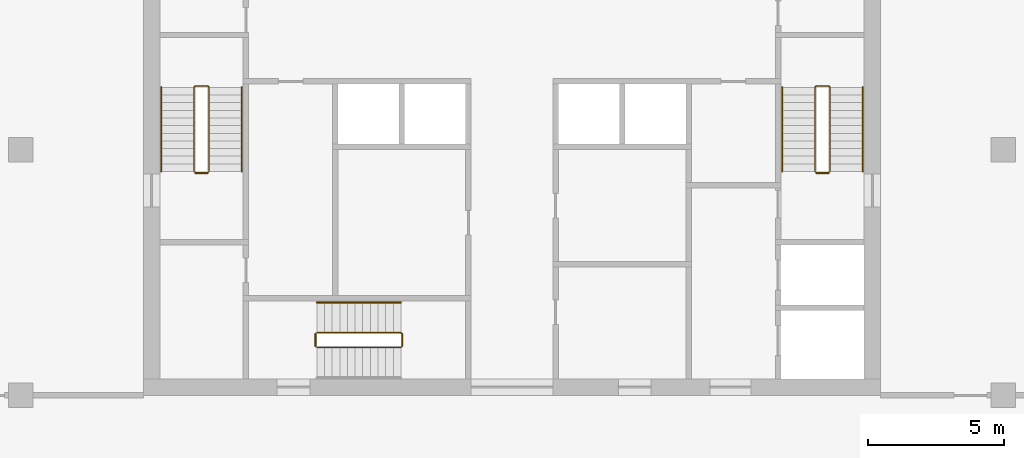
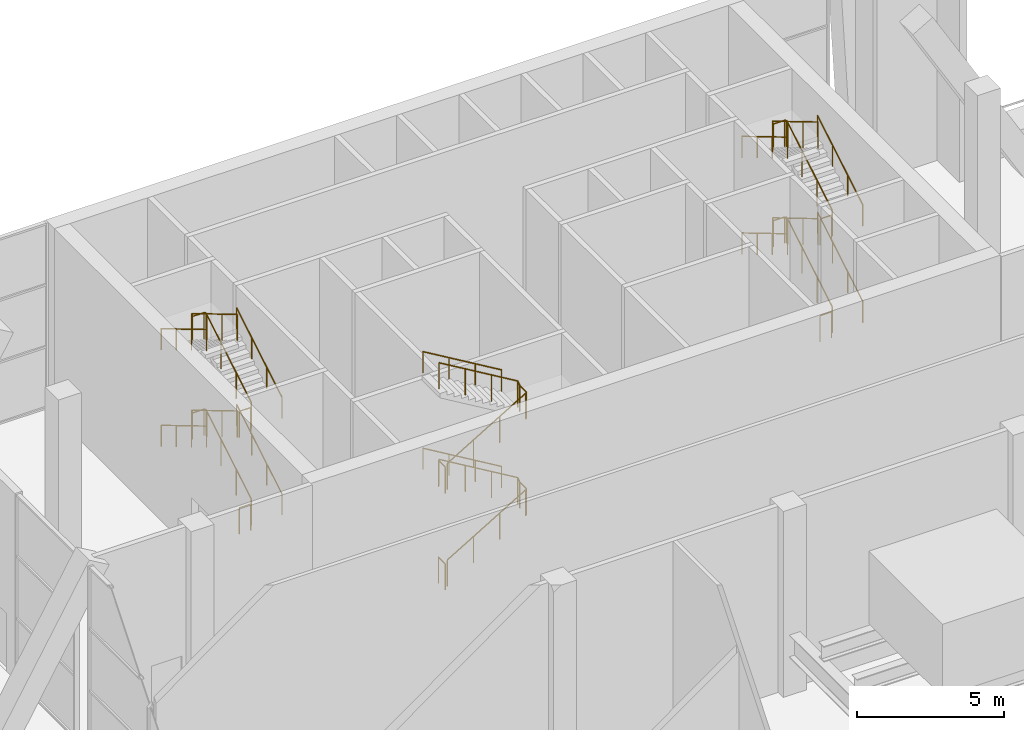
# One storey, part 11 of 12: 22 railings.
"""IFC4 building model written with IfcOpenShell, lengths in metres."""

from ifc_helpers import new_model, si_unit, direction, frame, origin, origin_2d, place, context, subcontext, project, spatial, circle, extrude, material, type_object, element, save


model = new_model("IFC4")

# Units and contexts
model_context = context("Model", 3, precision=1e-05, world=origin(), true_north=direction((0.0, 1.0)))
body_context = subcontext(model_context, "Body", "Model", "MODEL_VIEW")
ifc_project = project(units=[si_unit("LENGTHUNIT", "METRE"), si_unit("AREAUNIT", "SQUARE_METRE"), si_unit("VOLUMEUNIT", "CUBIC_METRE"), si_unit("PLANEANGLEUNIT", "RADIAN"), si_unit("MASSUNIT", "GRAM", prefix="KILO")], contexts=[model_context])

# Site, building, storey
site_placement = place(None, origin())
site = spatial("IfcSite", under=ifc_project, at=site_placement, CompositionType="ELEMENT")
building_placement = place(site_placement, origin())
building = spatial("IfcBuilding", under=site, at=building_placement, Name="Orbiselva Terraces", CompositionType="ELEMENT")
storey_placement = place(building_placement, frame((0.0, 0.0, 289.4)))
storey = spatial("IfcBuildingStorey", under=building, at=storey_placement, Name="L73", CompositionType="ELEMENT", Elevation=289.4)

# Railings
ifc_material = material(Name="Stainless steel", Category="steel")
railing_type_1 = type_object("IfcRailingType", Name="CORE-GUARD-1100", PredefinedType="GUARDRAIL", material=ifc_material)
railing_1_placement = place(storey_placement, frame((-11.1, 12.7, 0.166667)))
element("IfcRailing", 1, at=railing_1_placement, inside=storey, type_object=railing_type_1, Name="L73 S1 stair guard 1", PredefinedType="GUARDRAIL", context=body_context, shape_type="SweptSolid", body=[
    extrude(circle(Radius=0.024, at=origin_2d()), frame((0.0, 0.0, 1.081), z_axis=(0.0, 0.859292925283, 0.5114837911), x_axis=(-1.0, 0.0, 0.0)), (0.0, 0.0, 1.0), 3.584342),
    extrude(circle(Radius=0.024, at=origin_2d()), frame((0.0, 3.08, 2.914333), z_axis=(-0.707106781187, 0.707106781187, 0.0), x_axis=(-0.707106781187, -0.707106781187, 0.0)), (0.0, 0.0, 1.0), 0.070711),
    extrude(circle(Radius=0.024, at=origin_2d()), frame((-0.05, 3.13, 2.914333), z_axis=(-1.0, 0.0, 0.0), x_axis=(0.0, -1.0, 0.0)), (0.0, 0.0, 1.0), 0.45),
    extrude(circle(Radius=0.024, at=origin_2d()), frame((-0.5, 3.13, 2.914333), z_axis=(-0.276171917281, -0.276171917281, 0.920574898751), x_axis=(0.707106781187, -0.707106781187, 0.0)), (0.0, 0.0, 1.0), 0.181047),
    extrude(circle(Radius=0.024, at=origin_2d()), frame((-0.55, 3.08, 3.081), z_axis=(0.0, -0.859292925283, 0.5114837911), x_axis=(1.0, 0.0, 0.0)), (0.0, 0.0, 1.0), 3.584342),
    extrude(circle(Radius=0.021, at=origin_2d()), origin(), (0.0, 0.0, 1.0), 1.057),
    extrude(circle(Radius=0.021, at=origin_2d()), frame((0.0, 1.026667, 0.611111)), (0.0, 0.0, 1.0), 1.057),
    extrude(circle(Radius=0.021, at=origin_2d()), frame((0.0, 2.053333, 1.222222)), (0.0, 0.0, 1.0), 1.057),
    extrude(circle(Radius=0.021, at=origin_2d()), frame((0.0, 3.08, 1.833333)), (0.0, 0.0, 1.0), 1.057),
    extrude(circle(Radius=0.021, at=origin_2d()), frame((-0.05, 3.13, 1.833333)), (0.0, 0.0, 1.0), 1.057),
    extrude(circle(Radius=0.021, at=origin_2d()), frame((-0.5, 3.13, 1.833333)), (0.0, 0.0, 1.0), 1.057),
    extrude(circle(Radius=0.021, at=origin_2d()), frame((-0.55, 3.08, 2.0)), (0.0, 0.0, 1.0), 1.057),
    extrude(circle(Radius=0.021, at=origin_2d()), frame((-0.55, 2.053333, 2.611111)), (0.0, 0.0, 1.0), 1.057),
    extrude(circle(Radius=0.021, at=origin_2d()), frame((-0.55, 1.026667, 3.222222)), (0.0, 0.0, 1.0), 1.057),
    extrude(circle(Radius=0.021, at=origin_2d()), frame((-0.55, 0.0, 3.833333)), (0.0, 0.0, 1.0), 1.057),
])
railing_2_placement = place(storey_placement, frame((-11.15, 12.65, 4.0)))
element("IfcRailing", 2, at=railing_2_placement, inside=storey, type_object=railing_type_1, Name="L73 S1 stair guard 2", PredefinedType="GUARDRAIL", context=body_context, shape_type="SweptSolid", body=[
    extrude(circle(Radius=0.024, at=origin_2d()), frame((0.0, 0.0, 1.081), z_axis=(-1.0, 0.0, 0.0), x_axis=(0.0, -1.0, 0.0)), (0.0, 0.0, 1.0), 0.45),
    extrude(circle(Radius=0.021, at=origin_2d()), origin(), (0.0, 0.0, 1.0), 1.057),
    extrude(circle(Radius=0.021, at=origin_2d()), frame((-0.45, 0.0, 0.0)), (0.0, 0.0, 1.0), 1.057),
])
railing_3_placement = place(storey_placement, frame((-11.1, 12.7, 4.166667)))
element("IfcRailing", 3, at=railing_3_placement, inside=storey, type_object=railing_type_1, Name="L73 S1 stair guard 3", PredefinedType="GUARDRAIL", context=body_context, shape_type="SweptSolid", body=[
    extrude(circle(Radius=0.024, at=origin_2d()), frame((0.0, 0.0, 1.081), z_axis=(0.0, 0.859292925283, 0.5114837911), x_axis=(-1.0, 0.0, 0.0)), (0.0, 0.0, 1.0), 3.584342),
    extrude(circle(Radius=0.024, at=origin_2d()), frame((0.0, 3.08, 2.914333), z_axis=(-0.707106781187, 0.707106781187, 0.0), x_axis=(-0.707106781187, -0.707106781187, 0.0)), (0.0, 0.0, 1.0), 0.070711),
    extrude(circle(Radius=0.024, at=origin_2d()), frame((-0.05, 3.13, 2.914333), z_axis=(-1.0, 0.0, 0.0), x_axis=(0.0, -1.0, 0.0)), (0.0, 0.0, 1.0), 0.45),
    extrude(circle(Radius=0.024, at=origin_2d()), frame((-0.5, 3.13, 2.914333), z_axis=(-0.276171917281, -0.276171917281, 0.920574898751), x_axis=(0.707106781187, -0.707106781187, 0.0)), (0.0, 0.0, 1.0), 0.181047),
    extrude(circle(Radius=0.024, at=origin_2d()), frame((-0.55, 3.08, 3.081), z_axis=(0.0, -0.859292925283, 0.5114837911), x_axis=(1.0, 0.0, 0.0)), (0.0, 0.0, 1.0), 3.584342),
    extrude(circle(Radius=0.021, at=origin_2d()), origin(), (0.0, 0.0, 1.0), 1.057),
    extrude(circle(Radius=0.021, at=origin_2d()), frame((0.0, 1.026667, 0.611111)), (0.0, 0.0, 1.0), 1.057),
    extrude(circle(Radius=0.021, at=origin_2d()), frame((0.0, 2.053333, 1.222222)), (0.0, 0.0, 1.0), 1.057),
    extrude(circle(Radius=0.021, at=origin_2d()), frame((0.0, 3.08, 1.833333)), (0.0, 0.0, 1.0), 1.057),
    extrude(circle(Radius=0.021, at=origin_2d()), frame((-0.05, 3.13, 1.833333)), (0.0, 0.0, 1.0), 1.057),
    extrude(circle(Radius=0.021, at=origin_2d()), frame((-0.5, 3.13, 1.833333)), (0.0, 0.0, 1.0), 1.057),
    extrude(circle(Radius=0.021, at=origin_2d()), frame((-0.55, 3.08, 2.0)), (0.0, 0.0, 1.0), 1.057),
    extrude(circle(Radius=0.021, at=origin_2d()), frame((-0.55, 2.053333, 2.611111)), (0.0, 0.0, 1.0), 1.057),
    extrude(circle(Radius=0.021, at=origin_2d()), frame((-0.55, 1.026667, 3.222222)), (0.0, 0.0, 1.0), 1.057),
    extrude(circle(Radius=0.021, at=origin_2d()), frame((-0.55, 0.0, 3.833333)), (0.0, 0.0, 1.0), 1.057),
])
railing_4_placement = place(storey_placement, frame((-11.15, 12.65, 0.0)))
element("IfcRailing", 4, at=railing_4_placement, inside=storey, type_object=railing_type_1, Name="L73 S1 stair guard 4", PredefinedType="GUARDRAIL", context=body_context, shape_type="SweptSolid", body=[
    extrude(circle(Radius=0.024, at=origin_2d()), frame((0.0, 0.0, 1.081), z_axis=(-1.0, 0.0, 0.0), x_axis=(0.0, -1.0, 0.0)), (0.0, 0.0, 1.0), 0.45),
    extrude(circle(Radius=0.021, at=origin_2d()), origin(), (0.0, 0.0, 1.0), 1.057),
    extrude(circle(Radius=0.021, at=origin_2d()), frame((-0.45, 0.0, 0.0)), (0.0, 0.0, 1.0), 1.057),
])
railing_5_placement = place(storey_placement, frame((11.65, 12.7, 0.166667)))
element("IfcRailing", 5, at=railing_5_placement, inside=storey, type_object=railing_type_1, Name="L73 S2 stair guard 1", PredefinedType="GUARDRAIL", context=body_context, shape_type="SweptSolid", body=[
    extrude(circle(Radius=0.024, at=origin_2d()), frame((0.0, 0.0, 1.081), z_axis=(0.0, 0.859292925283, 0.5114837911), x_axis=(-1.0, 0.0, 0.0)), (0.0, 0.0, 1.0), 3.584342),
    extrude(circle(Radius=0.024, at=origin_2d()), frame((0.0, 3.08, 2.914333), z_axis=(-0.707106781187, 0.707106781187, 0.0), x_axis=(-0.707106781187, -0.707106781187, 0.0)), (0.0, 0.0, 1.0), 0.070711),
    extrude(circle(Radius=0.024, at=origin_2d()), frame((-0.05, 3.13, 2.914333), z_axis=(-1.0, 0.0, 0.0), x_axis=(0.0, -1.0, 0.0)), (0.0, 0.0, 1.0), 0.45),
    extrude(circle(Radius=0.024, at=origin_2d()), frame((-0.5, 3.13, 2.914333), z_axis=(-0.276171917281, -0.276171917281, 0.920574898751), x_axis=(0.707106781187, -0.707106781187, 0.0)), (0.0, 0.0, 1.0), 0.181047),
    extrude(circle(Radius=0.024, at=origin_2d()), frame((-0.55, 3.08, 3.081), z_axis=(0.0, -0.859292925283, 0.5114837911), x_axis=(1.0, 0.0, 0.0)), (0.0, 0.0, 1.0), 3.584342),
    extrude(circle(Radius=0.021, at=origin_2d()), origin(), (0.0, 0.0, 1.0), 1.057),
    extrude(circle(Radius=0.021, at=origin_2d()), frame((0.0, 1.026667, 0.611111)), (0.0, 0.0, 1.0), 1.057),
    extrude(circle(Radius=0.021, at=origin_2d()), frame((0.0, 2.053333, 1.222222)), (0.0, 0.0, 1.0), 1.057),
    extrude(circle(Radius=0.021, at=origin_2d()), frame((0.0, 3.08, 1.833333)), (0.0, 0.0, 1.0), 1.057),
    extrude(circle(Radius=0.021, at=origin_2d()), frame((-0.05, 3.13, 1.833333)), (0.0, 0.0, 1.0), 1.057),
    extrude(circle(Radius=0.021, at=origin_2d()), frame((-0.5, 3.13, 1.833333)), (0.0, 0.0, 1.0), 1.057),
    extrude(circle(Radius=0.021, at=origin_2d()), frame((-0.55, 3.08, 2.0)), (0.0, 0.0, 1.0), 1.057),
    extrude(circle(Radius=0.021, at=origin_2d()), frame((-0.55, 2.053333, 2.611111)), (0.0, 0.0, 1.0), 1.057),
    extrude(circle(Radius=0.021, at=origin_2d()), frame((-0.55, 1.026667, 3.222222)), (0.0, 0.0, 1.0), 1.057),
    extrude(circle(Radius=0.021, at=origin_2d()), frame((-0.55, 0.0, 3.833333)), (0.0, 0.0, 1.0), 1.057),
])
railing_6_placement = place(storey_placement, frame((11.6, 12.65, 4.0)))
element("IfcRailing", 6, at=railing_6_placement, inside=storey, type_object=railing_type_1, Name="L73 S2 stair guard 2", PredefinedType="GUARDRAIL", context=body_context, shape_type="SweptSolid", body=[
    extrude(circle(Radius=0.024, at=origin_2d()), frame((0.0, 0.0, 1.081), z_axis=(-1.0, 0.0, 0.0), x_axis=(0.0, -1.0, 0.0)), (0.0, 0.0, 1.0), 0.45),
    extrude(circle(Radius=0.021, at=origin_2d()), origin(), (0.0, 0.0, 1.0), 1.057),
    extrude(circle(Radius=0.021, at=origin_2d()), frame((-0.45, 0.0, 0.0)), (0.0, 0.0, 1.0), 1.057),
])
railing_7_placement = place(storey_placement, frame((11.65, 12.7, 4.166667)))
element("IfcRailing", 7, at=railing_7_placement, inside=storey, type_object=railing_type_1, Name="L73 S2 stair guard 3", PredefinedType="GUARDRAIL", context=body_context, shape_type="SweptSolid", body=[
    extrude(circle(Radius=0.024, at=origin_2d()), frame((0.0, 0.0, 1.081), z_axis=(0.0, 0.859292925283, 0.5114837911), x_axis=(-1.0, 0.0, 0.0)), (0.0, 0.0, 1.0), 3.584342),
    extrude(circle(Radius=0.024, at=origin_2d()), frame((0.0, 3.08, 2.914333), z_axis=(-0.707106781187, 0.707106781187, 0.0), x_axis=(-0.707106781187, -0.707106781187, 0.0)), (0.0, 0.0, 1.0), 0.070711),
    extrude(circle(Radius=0.024, at=origin_2d()), frame((-0.05, 3.13, 2.914333), z_axis=(-1.0, 0.0, 0.0), x_axis=(0.0, -1.0, 0.0)), (0.0, 0.0, 1.0), 0.45),
    extrude(circle(Radius=0.024, at=origin_2d()), frame((-0.5, 3.13, 2.914333), z_axis=(-0.276171917281, -0.276171917281, 0.920574898751), x_axis=(0.707106781187, -0.707106781187, 0.0)), (0.0, 0.0, 1.0), 0.181047),
    extrude(circle(Radius=0.024, at=origin_2d()), frame((-0.55, 3.08, 3.081), z_axis=(0.0, -0.859292925283, 0.5114837911), x_axis=(1.0, 0.0, 0.0)), (0.0, 0.0, 1.0), 3.584342),
    extrude(circle(Radius=0.021, at=origin_2d()), origin(), (0.0, 0.0, 1.0), 1.057),
    extrude(circle(Radius=0.021, at=origin_2d()), frame((0.0, 1.026667, 0.611111)), (0.0, 0.0, 1.0), 1.057),
    extrude(circle(Radius=0.021, at=origin_2d()), frame((0.0, 2.053333, 1.222222)), (0.0, 0.0, 1.0), 1.057),
    extrude(circle(Radius=0.021, at=origin_2d()), frame((0.0, 3.08, 1.833333)), (0.0, 0.0, 1.0), 1.057),
    extrude(circle(Radius=0.021, at=origin_2d()), frame((-0.05, 3.13, 1.833333)), (0.0, 0.0, 1.0), 1.057),
    extrude(circle(Radius=0.021, at=origin_2d()), frame((-0.5, 3.13, 1.833333)), (0.0, 0.0, 1.0), 1.057),
    extrude(circle(Radius=0.021, at=origin_2d()), frame((-0.55, 3.08, 2.0)), (0.0, 0.0, 1.0), 1.057),
    extrude(circle(Radius=0.021, at=origin_2d()), frame((-0.55, 2.053333, 2.611111)), (0.0, 0.0, 1.0), 1.057),
    extrude(circle(Radius=0.021, at=origin_2d()), frame((-0.55, 1.026667, 3.222222)), (0.0, 0.0, 1.0), 1.057),
    extrude(circle(Radius=0.021, at=origin_2d()), frame((-0.55, 0.0, 3.833333)), (0.0, 0.0, 1.0), 1.057),
])
railing_8_placement = place(storey_placement, frame((11.6, 12.65, 0.0)))
element("IfcRailing", 8, at=railing_8_placement, inside=storey, type_object=railing_type_1, Name="L73 S2 stair guard 4", PredefinedType="GUARDRAIL", context=body_context, shape_type="SweptSolid", body=[
    extrude(circle(Radius=0.024, at=origin_2d()), frame((0.0, 0.0, 1.081), z_axis=(-1.0, 0.0, 0.0), x_axis=(0.0, -1.0, 0.0)), (0.0, 0.0, 1.0), 0.45),
    extrude(circle(Radius=0.021, at=origin_2d()), origin(), (0.0, 0.0, 1.0), 1.057),
    extrude(circle(Radius=0.021, at=origin_2d()), frame((-0.45, 0.0, 0.0)), (0.0, 0.0, 1.0), 1.057),
])
railing_9_placement = place(storey_placement, frame((-7.15, 6.25, 0.166667)))
element("IfcRailing", 9, at=railing_9_placement, inside=storey, type_object=railing_type_1, Name="L73 S3 stair guard 1", PredefinedType="GUARDRAIL", context=body_context, shape_type="SweptSolid", body=[
    extrude(circle(Radius=0.024, at=origin_2d()), frame((0.0, 0.0, 1.081), z_axis=(0.859292925283, 0.0, 0.5114837911), x_axis=(0.0, 1.0, 0.0)), (0.0, 0.0, 1.0), 3.584342),
    extrude(circle(Radius=0.024, at=origin_2d()), frame((3.08, 0.0, 2.914333), z_axis=(0.707106781187, 0.707106781187, 0.0), x_axis=(-0.707106781187, 0.707106781187, 0.0)), (0.0, 0.0, 1.0), 0.070711),
    extrude(circle(Radius=0.024, at=origin_2d()), frame((3.13, 0.05, 2.914333), z_axis=(0.0, 1.0, 0.0), x_axis=(-1.0, 0.0, 0.0)), (0.0, 0.0, 1.0), 0.45),
    extrude(circle(Radius=0.024, at=origin_2d()), frame((3.13, 0.5, 2.914333), z_axis=(-0.276171917281, 0.276171917281, 0.920574898751), x_axis=(-0.707106781187, -0.707106781187, 0.0)), (0.0, 0.0, 1.0), 0.181047),
    extrude(circle(Radius=0.024, at=origin_2d()), frame((3.08, 0.55, 3.081), z_axis=(-0.859292925283, 0.0, 0.5114837911), x_axis=(0.0, -1.0, 0.0)), (0.0, 0.0, 1.0), 3.584342),
    extrude(circle(Radius=0.021, at=origin_2d()), origin(), (0.0, 0.0, 1.0), 1.057),
    extrude(circle(Radius=0.021, at=origin_2d()), frame((1.026667, 0.0, 0.611111)), (0.0, 0.0, 1.0), 1.057),
    extrude(circle(Radius=0.021, at=origin_2d()), frame((2.053333, 0.0, 1.222222)), (0.0, 0.0, 1.0), 1.057),
    extrude(circle(Radius=0.021, at=origin_2d()), frame((3.08, 0.0, 1.833333)), (0.0, 0.0, 1.0), 1.057),
    extrude(circle(Radius=0.021, at=origin_2d()), frame((3.13, 0.05, 1.833333)), (0.0, 0.0, 1.0), 1.057),
    extrude(circle(Radius=0.021, at=origin_2d()), frame((3.13, 0.5, 1.833333)), (0.0, 0.0, 1.0), 1.057),
    extrude(circle(Radius=0.021, at=origin_2d()), frame((3.08, 0.55, 2.0)), (0.0, 0.0, 1.0), 1.057),
    extrude(circle(Radius=0.021, at=origin_2d()), frame((2.053333, 0.55, 2.611111)), (0.0, 0.0, 1.0), 1.057),
    extrude(circle(Radius=0.021, at=origin_2d()), frame((1.026667, 0.55, 3.222222)), (0.0, 0.0, 1.0), 1.057),
    extrude(circle(Radius=0.021, at=origin_2d()), frame((0.0, 0.55, 3.833333)), (0.0, 0.0, 1.0), 1.057),
])
railing_10_placement = place(storey_placement, frame((-7.2, 6.3, 4.0)))
element("IfcRailing", 10, at=railing_10_placement, inside=storey, type_object=railing_type_1, Name="L73 S3 stair guard 2", PredefinedType="GUARDRAIL", context=body_context, shape_type="SweptSolid", body=[
    extrude(circle(Radius=0.024, at=origin_2d()), frame((0.0, 0.0, 1.081), z_axis=(0.0, 1.0, 0.0), x_axis=(-1.0, 0.0, 0.0)), (0.0, 0.0, 1.0), 0.45),
    extrude(circle(Radius=0.021, at=origin_2d()), origin(), (0.0, 0.0, 1.0), 1.057),
    extrude(circle(Radius=0.021, at=origin_2d()), frame((0.0, 0.45, 0.0)), (0.0, 0.0, 1.0), 1.057),
])
railing_11_placement = place(storey_placement, frame((-7.15, 6.25, 4.166667)))
element("IfcRailing", 11, at=railing_11_placement, inside=storey, type_object=railing_type_1, Name="L73 S3 stair guard 3", PredefinedType="GUARDRAIL", context=body_context, shape_type="SweptSolid", body=[
    extrude(circle(Radius=0.024, at=origin_2d()), frame((0.0, 0.0, 1.081), z_axis=(0.859292925283, 0.0, 0.5114837911), x_axis=(0.0, 1.0, 0.0)), (0.0, 0.0, 1.0), 3.584342),
    extrude(circle(Radius=0.024, at=origin_2d()), frame((3.08, 0.0, 2.914333), z_axis=(0.707106781187, 0.707106781187, 0.0), x_axis=(-0.707106781187, 0.707106781187, 0.0)), (0.0, 0.0, 1.0), 0.070711),
    extrude(circle(Radius=0.024, at=origin_2d()), frame((3.13, 0.05, 2.914333), z_axis=(0.0, 1.0, 0.0), x_axis=(-1.0, 0.0, 0.0)), (0.0, 0.0, 1.0), 0.45),
    extrude(circle(Radius=0.024, at=origin_2d()), frame((3.13, 0.5, 2.914333), z_axis=(-0.276171917281, 0.276171917281, 0.920574898751), x_axis=(-0.707106781187, -0.707106781187, 0.0)), (0.0, 0.0, 1.0), 0.181047),
    extrude(circle(Radius=0.024, at=origin_2d()), frame((3.08, 0.55, 3.081), z_axis=(-0.859292925283, 0.0, 0.5114837911), x_axis=(0.0, -1.0, 0.0)), (0.0, 0.0, 1.0), 3.584342),
    extrude(circle(Radius=0.021, at=origin_2d()), origin(), (0.0, 0.0, 1.0), 1.057),
    extrude(circle(Radius=0.021, at=origin_2d()), frame((1.026667, 0.0, 0.611111)), (0.0, 0.0, 1.0), 1.057),
    extrude(circle(Radius=0.021, at=origin_2d()), frame((2.053333, 0.0, 1.222222)), (0.0, 0.0, 1.0), 1.057),
    extrude(circle(Radius=0.021, at=origin_2d()), frame((3.08, 0.0, 1.833333)), (0.0, 0.0, 1.0), 1.057),
    extrude(circle(Radius=0.021, at=origin_2d()), frame((3.13, 0.05, 1.833333)), (0.0, 0.0, 1.0), 1.057),
    extrude(circle(Radius=0.021, at=origin_2d()), frame((3.13, 0.5, 1.833333)), (0.0, 0.0, 1.0), 1.057),
    extrude(circle(Radius=0.021, at=origin_2d()), frame((3.08, 0.55, 2.0)), (0.0, 0.0, 1.0), 1.057),
    extrude(circle(Radius=0.021, at=origin_2d()), frame((2.053333, 0.55, 2.611111)), (0.0, 0.0, 1.0), 1.057),
    extrude(circle(Radius=0.021, at=origin_2d()), frame((1.026667, 0.55, 3.222222)), (0.0, 0.0, 1.0), 1.057),
    extrude(circle(Radius=0.021, at=origin_2d()), frame((0.0, 0.55, 3.833333)), (0.0, 0.0, 1.0), 1.057),
])
railing_12_placement = place(storey_placement, frame((-7.2, 6.3, 0.0)))
element("IfcRailing", 12, at=railing_12_placement, inside=storey, type_object=railing_type_1, Name="L73 S3 stair guard 4", PredefinedType="GUARDRAIL", context=body_context, shape_type="SweptSolid", body=[
    extrude(circle(Radius=0.024, at=origin_2d()), frame((0.0, 0.0, 1.081), z_axis=(0.0, 1.0, 0.0), x_axis=(-1.0, 0.0, 0.0)), (0.0, 0.0, 1.0), 0.45),
    extrude(circle(Radius=0.021, at=origin_2d()), origin(), (0.0, 0.0, 1.0), 1.057),
    extrude(circle(Radius=0.021, at=origin_2d()), frame((0.0, 0.45, 0.0)), (0.0, 0.0, 1.0), 1.057),
])
railing_type_2 = type_object("IfcRailingType", Name="CORE-HANDRAIL-900", PredefinedType="HANDRAIL", material=ifc_material)
railing_13_placement = place(storey_placement, frame((-9.9, 12.7, 0.166667)))
element("IfcRailing", 13, at=railing_13_placement, inside=storey, type_object=railing_type_2, Name="L73 S1 stair handrail 1", PredefinedType="HANDRAIL", context=body_context, shape_type="SweptSolid", body=[
    extrude(circle(Radius=0.024, at=origin_2d()), frame((0.0, 0.0, 0.876), z_axis=(0.0, 0.859292925283, 0.5114837911), x_axis=(-1.0, 0.0, 0.0)), (0.0, 0.0, 1.0), 3.584342),
    extrude(circle(Radius=0.021, at=origin_2d()), origin(), (0.0, 0.0, 1.0), 0.852),
    extrude(circle(Radius=0.021, at=origin_2d()), frame((0.0, 1.026667, 0.611111)), (0.0, 0.0, 1.0), 0.852),
    extrude(circle(Radius=0.021, at=origin_2d()), frame((0.0, 2.053333, 1.222222)), (0.0, 0.0, 1.0), 0.852),
    extrude(circle(Radius=0.021, at=origin_2d()), frame((0.0, 3.08, 1.833333)), (0.0, 0.0, 1.0), 0.852),
])
railing_14_placement = place(storey_placement, frame((-12.85, 15.78, 2.166667)))
element("IfcRailing", 14, at=railing_14_placement, inside=storey, type_object=railing_type_2, Name="L73 S1 stair handrail 2", PredefinedType="HANDRAIL", context=body_context, shape_type="SweptSolid", body=[
    extrude(circle(Radius=0.024, at=origin_2d()), frame((0.0, 0.0, 0.876), z_axis=(0.0, -0.859292925283, 0.5114837911), x_axis=(1.0, 0.0, 0.0)), (0.0, 0.0, 1.0), 3.584342),
    extrude(circle(Radius=0.021, at=origin_2d()), origin(), (0.0, 0.0, 1.0), 0.852),
    extrude(circle(Radius=0.021, at=origin_2d()), frame((0.0, -1.026667, 0.611111)), (0.0, 0.0, 1.0), 0.852),
    extrude(circle(Radius=0.021, at=origin_2d()), frame((0.0, -2.053333, 1.222222)), (0.0, 0.0, 1.0), 0.852),
    extrude(circle(Radius=0.021, at=origin_2d()), frame((0.0, -3.08, 1.833333)), (0.0, 0.0, 1.0), 0.852),
])
railing_15_placement = place(storey_placement, frame((-9.9, 12.7, 4.166667)))
element("IfcRailing", 15, at=railing_15_placement, inside=storey, type_object=railing_type_2, Name="L73 S1 stair handrail 3", PredefinedType="HANDRAIL", context=body_context, shape_type="SweptSolid", body=[
    extrude(circle(Radius=0.024, at=origin_2d()), frame((0.0, 0.0, 0.876), z_axis=(0.0, 0.859292925283, 0.5114837911), x_axis=(-1.0, 0.0, 0.0)), (0.0, 0.0, 1.0), 3.584342),
    extrude(circle(Radius=0.021, at=origin_2d()), origin(), (0.0, 0.0, 1.0), 0.852),
    extrude(circle(Radius=0.021, at=origin_2d()), frame((0.0, 1.026667, 0.611111)), (0.0, 0.0, 1.0), 0.852),
    extrude(circle(Radius=0.021, at=origin_2d()), frame((0.0, 2.053333, 1.222222)), (0.0, 0.0, 1.0), 0.852),
    extrude(circle(Radius=0.021, at=origin_2d()), frame((0.0, 3.08, 1.833333)), (0.0, 0.0, 1.0), 0.852),
])
railing_16_placement = place(storey_placement, frame((-12.85, 15.78, 6.166667)))
element("IfcRailing", 16, at=railing_16_placement, inside=storey, type_object=railing_type_2, Name="L73 S1 stair handrail 4", PredefinedType="HANDRAIL", context=body_context, shape_type="SweptSolid", body=[
    extrude(circle(Radius=0.024, at=origin_2d()), frame((0.0, 0.0, 0.876), z_axis=(0.0, -0.859292925283, 0.5114837911), x_axis=(1.0, 0.0, 0.0)), (0.0, 0.0, 1.0), 3.584342),
    extrude(circle(Radius=0.021, at=origin_2d()), origin(), (0.0, 0.0, 1.0), 0.852),
    extrude(circle(Radius=0.021, at=origin_2d()), frame((0.0, -1.026667, 0.611111)), (0.0, 0.0, 1.0), 0.852),
    extrude(circle(Radius=0.021, at=origin_2d()), frame((0.0, -2.053333, 1.222222)), (0.0, 0.0, 1.0), 0.852),
    extrude(circle(Radius=0.021, at=origin_2d()), frame((0.0, -3.08, 1.833333)), (0.0, 0.0, 1.0), 0.852),
])
railing_17_placement = place(storey_placement, frame((12.85, 12.7, 0.166667)))
element("IfcRailing", 17, at=railing_17_placement, inside=storey, type_object=railing_type_2, Name="L73 S2 stair handrail 1", PredefinedType="HANDRAIL", context=body_context, shape_type="SweptSolid", body=[
    extrude(circle(Radius=0.024, at=origin_2d()), frame((0.0, 0.0, 0.876), z_axis=(0.0, 0.859292925283, 0.5114837911), x_axis=(-1.0, 0.0, 0.0)), (0.0, 0.0, 1.0), 3.584342),
    extrude(circle(Radius=0.021, at=origin_2d()), origin(), (0.0, 0.0, 1.0), 0.852),
    extrude(circle(Radius=0.021, at=origin_2d()), frame((0.0, 1.026667, 0.611111)), (0.0, 0.0, 1.0), 0.852),
    extrude(circle(Radius=0.021, at=origin_2d()), frame((0.0, 2.053333, 1.222222)), (0.0, 0.0, 1.0), 0.852),
    extrude(circle(Radius=0.021, at=origin_2d()), frame((0.0, 3.08, 1.833333)), (0.0, 0.0, 1.0), 0.852),
])
railing_18_placement = place(storey_placement, frame((9.9, 15.78, 2.166667)))
element("IfcRailing", 18, at=railing_18_placement, inside=storey, type_object=railing_type_2, Name="L73 S2 stair handrail 2", PredefinedType="HANDRAIL", context=body_context, shape_type="SweptSolid", body=[
    extrude(circle(Radius=0.024, at=origin_2d()), frame((0.0, 0.0, 0.876), z_axis=(0.0, -0.859292925283, 0.5114837911), x_axis=(1.0, 0.0, 0.0)), (0.0, 0.0, 1.0), 3.584342),
    extrude(circle(Radius=0.021, at=origin_2d()), origin(), (0.0, 0.0, 1.0), 0.852),
    extrude(circle(Radius=0.021, at=origin_2d()), frame((0.0, -1.026667, 0.611111)), (0.0, 0.0, 1.0), 0.852),
    extrude(circle(Radius=0.021, at=origin_2d()), frame((0.0, -2.053333, 1.222222)), (0.0, 0.0, 1.0), 0.852),
    extrude(circle(Radius=0.021, at=origin_2d()), frame((0.0, -3.08, 1.833333)), (0.0, 0.0, 1.0), 0.852),
])
railing_19_placement = place(storey_placement, frame((12.85, 12.7, 4.166667)))
element("IfcRailing", 19, at=railing_19_placement, inside=storey, type_object=railing_type_2, Name="L73 S2 stair handrail 3", PredefinedType="HANDRAIL", context=body_context, shape_type="SweptSolid", body=[
    extrude(circle(Radius=0.024, at=origin_2d()), frame((0.0, 0.0, 0.876), z_axis=(0.0, 0.859292925283, 0.5114837911), x_axis=(-1.0, 0.0, 0.0)), (0.0, 0.0, 1.0), 3.584342),
    extrude(circle(Radius=0.021, at=origin_2d()), origin(), (0.0, 0.0, 1.0), 0.852),
    extrude(circle(Radius=0.021, at=origin_2d()), frame((0.0, 1.026667, 0.611111)), (0.0, 0.0, 1.0), 0.852),
    extrude(circle(Radius=0.021, at=origin_2d()), frame((0.0, 2.053333, 1.222222)), (0.0, 0.0, 1.0), 0.852),
    extrude(circle(Radius=0.021, at=origin_2d()), frame((0.0, 3.08, 1.833333)), (0.0, 0.0, 1.0), 0.852),
])
railing_20_placement = place(storey_placement, frame((9.9, 15.78, 6.166667)))
element("IfcRailing", 20, at=railing_20_placement, inside=storey, type_object=railing_type_2, Name="L73 S2 stair handrail 4", PredefinedType="HANDRAIL", context=body_context, shape_type="SweptSolid", body=[
    extrude(circle(Radius=0.024, at=origin_2d()), frame((0.0, 0.0, 0.876), z_axis=(0.0, -0.859292925283, 0.5114837911), x_axis=(1.0, 0.0, 0.0)), (0.0, 0.0, 1.0), 3.584342),
    extrude(circle(Radius=0.021, at=origin_2d()), origin(), (0.0, 0.0, 1.0), 0.852),
    extrude(circle(Radius=0.021, at=origin_2d()), frame((0.0, -1.026667, 0.611111)), (0.0, 0.0, 1.0), 0.852),
    extrude(circle(Radius=0.021, at=origin_2d()), frame((0.0, -2.053333, 1.222222)), (0.0, 0.0, 1.0), 0.852),
    extrude(circle(Radius=0.021, at=origin_2d()), frame((0.0, -3.08, 1.833333)), (0.0, 0.0, 1.0), 0.852),
])
for number, where, name in (
    (21, (-4.07, 7.9, 2.166667), "L73 S3 stair handrail 2"),
    (22, (-4.07, 7.9, 6.166667), "L73 S3 stair handrail 4"),
):
    element("IfcRailing", number, at=place(storey_placement, frame(where)), inside=storey, type_object=railing_type_2, Name=name, PredefinedType="HANDRAIL", context=body_context, shape_type="SweptSolid", body=[
        extrude(circle(Radius=0.024, at=origin_2d()), frame((0.0, 0.0, 0.876), z_axis=(-0.859292925283, 0.0, 0.5114837911), x_axis=(0.0, -1.0, 0.0)), (0.0, 0.0, 1.0), 3.584342),
        extrude(circle(Radius=0.021, at=origin_2d()), origin(), (0.0, 0.0, 1.0), 0.852),
        extrude(circle(Radius=0.021, at=origin_2d()), frame((-1.026667, 0.0, 0.611111)), (0.0, 0.0, 1.0), 0.852),
        extrude(circle(Radius=0.021, at=origin_2d()), frame((-2.053333, 0.0, 1.222222)), (0.0, 0.0, 1.0), 0.852),
        extrude(circle(Radius=0.021, at=origin_2d()), frame((-3.08, 0.0, 1.833333)), (0.0, 0.0, 1.0), 0.852),
    ])

save(model, "model.ifc")
